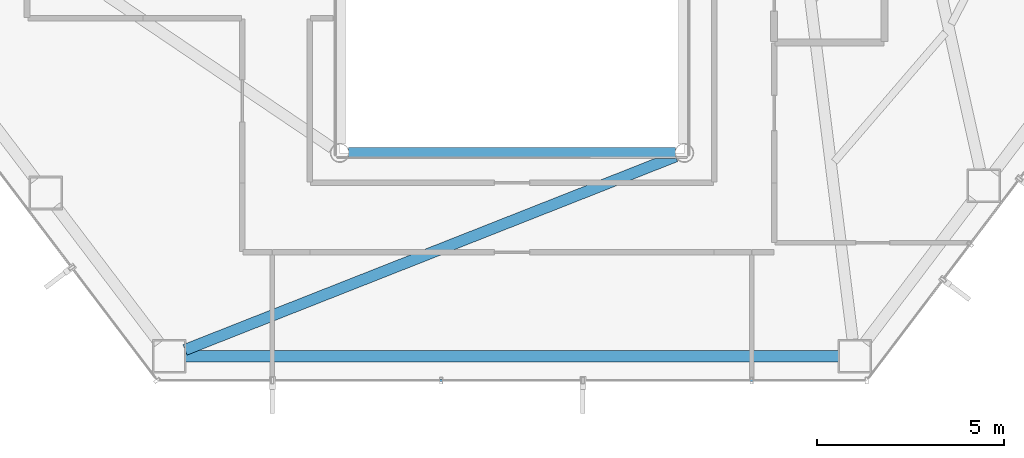
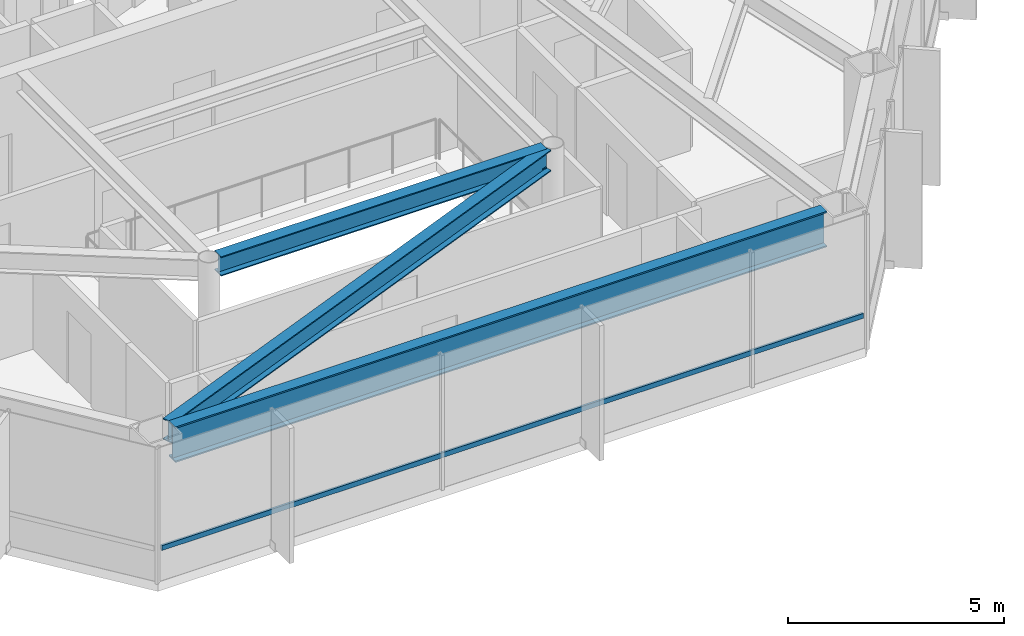
# One storey, part 7 of 24: 3 beams, 1 member, 1 element without a shape of its own.
"""IFC4 building model written with IfcOpenShell, lengths in metres."""

from ifc_helpers import new_model, si_unit, direction, frame, origin, origin_2d, place, context, subcontext, project, spatial, hollow_rectangle, i_section, extrude, material, layer, layer_set, material_profile, profile_set, type_object, element, aggregate, save


model = new_model("IFC4")

# Units and contexts
model_context = context("Model", 3, precision=1e-05, world=origin(), true_north=direction((0.0, 1.0)))
body_context = subcontext(model_context, "Body", "Model", "MODEL_VIEW")
ifc_project = project(units=[si_unit("LENGTHUNIT", "METRE"), si_unit("AREAUNIT", "SQUARE_METRE"), si_unit("VOLUMEUNIT", "CUBIC_METRE"), si_unit("PLANEANGLEUNIT", "RADIAN"), si_unit("MASSUNIT", "GRAM", prefix="KILO")], contexts=[model_context])

# Site, building, storey
site_placement = place(None, origin())
site = spatial("IfcSite", under=ifc_project, at=site_placement, CompositionType="ELEMENT")
building_placement = place(site_placement, origin())
building = spatial("IfcBuilding", under=site, at=building_placement, Name="Zarrinselat Tower", CompositionType="ELEMENT")
storey_placement = place(building_placement, frame((0.0, 0.0, 96.89990234375)))
storey = spatial("IfcBuildingStorey", under=building, at=storey_placement, Name="L23", CompositionType="ELEMENT", Elevation=96.89990234375)

# Beams
ifc_material_1 = material(Name="Steel S355J2", Category="steel")
ifc_material_profile_1 = material_profile(ifc_material_1, i_section(OverallWidth=0.300048828125, OverallDepth=0.550048828125, WebThickness=0.014892578125, FlangeThickness=0.029052734375, at=origin_2d()), Name="HEB 550")
ifc_profile_set_1 = profile_set([ifc_material_profile_1], Name="Steel S355J2")
beam_type_1 = type_object("IfcBeamType", Name="BM-HEB550", PredefinedType="BEAM", material=ifc_profile_set_1)
beam_1_placement = place(storey_placement, frame((34.0400390625, 24.39990234375, 3.545166015625), z_axis=(1.0, 0.0, 0.0), x_axis=(0.0, 1.0, 0.0)))
element("IfcBeam", 1, at=beam_1_placement, inside=storey, type_object=beam_type_1, Name="L23 Atrium Edge Beam S", PredefinedType="BEAM", context=body_context, shape_type="SweptSolid", body=[
    extrude(i_section(OverallWidth=0.300048828125, OverallDepth=0.550048828125, WebThickness=0.014892578125, FlangeThickness=0.029052734375, at=origin_2d()), origin(), (0.0, 0.0, 1.0), 8.719970703125),
])
ifc_material_2 = material(Name="Steel S355J2", Category="steel")
ifc_material_profile_2 = material_profile(ifc_material_2, i_section(OverallWidth=0.300048828125, OverallDepth=0.60009765625, WebThickness=0.015380859375, FlangeThickness=0.030029296875, at=origin_2d()), Name="HEB 600")
ifc_profile_set_2 = profile_set([ifc_material_profile_2], Name="Steel S355J2")
beam_type_2 = type_object("IfcBeamType", Name="BM-HEB600", PredefinedType="BEAM", material=ifc_profile_set_2)
beam_2_placement = place(storey_placement, frame((29.669677734375, 19.1416015625, 3.52001953125), z_axis=(0.930237169261, 0.366958865439, 0.0), x_axis=(-0.366958865439, 0.930237169261, 0.0)))
element("IfcBeam", 2, at=beam_2_placement, inside=storey, type_object=beam_type_2, Name="L23 Radial Primary Girder RG10", PredefinedType="BEAM", context=body_context, shape_type="SweptSolid", body=[
    extrude(i_section(OverallWidth=0.300048828125, OverallDepth=0.60009765625, WebThickness=0.015380859375, FlangeThickness=0.030029296875, at=origin_2d()), origin(), (0.0, 0.0, 1.0), 14.079833984375),
])
ifc_material_3 = material(Name="Steel S460M", Category="steel")
ifc_material_profile_3 = material_profile(ifc_material_3, i_section(OverallWidth=0.302001953125, OverallDepth=1.008056640625, WebThickness=0.02099609375, FlangeThickness=0.0400390625, at=origin_2d()), Name="HEM 1000")
ifc_profile_set_3 = profile_set([ifc_material_profile_3], Name="Steel S460M")
beam_type_3 = type_object("IfcBeamType", Name="BM-HEM1000", PredefinedType="BEAM", material=ifc_profile_set_3)
beam_3_placement = place(storey_placement, frame((29.68701171875, 18.9755859375, 3.316162109375), z_axis=(1.0, 0.0, 0.0), x_axis=(0.0, 1.0, 0.0)))
element("IfcBeam", 3, at=beam_3_placement, inside=storey, type_object=beam_type_3, Name="L23 Perimeter Spandrel Girder SP10", PredefinedType="BEAM", context=body_context, shape_type="SweptSolid", body=[
    extrude(i_section(OverallWidth=0.302001953125, OverallDepth=1.008056640625, WebThickness=0.02099609375, FlangeThickness=0.0400390625, at=origin_2d()), origin(), (0.0, 0.0, 1.0), 17.42578125),
])

# Curtain wall, member
ifc_material_4 = material(Name="Extruded Aluminium Alloy EN AW-6063 T6", Category="aluminium")
ifc_layer = layer(ifc_material_4, 0.18505859375)
ifc_layer_set = layer_set([ifc_layer], Name="Extruded Aluminium Alloy EN AW-6063 T6")
curtain_wall_type = type_object("IfcCurtainWallType", Name="CWS-OFF", PredefinedType="NOTDEFINED", material=ifc_layer_set)
curtain_wall_placement = place(storey_placement, origin())
curtain_wall = element("IfcCurtainWall", 4, at=curtain_wall_placement, inside=storey, type_object=curtain_wall_type, Name="L23 Unitised Curtain Wall CW-L23-E04", PredefinedType="NOTDEFINED")
ifc_material_5 = material(Name="Extruded Aluminium Alloy EN AW-6063 T6", Category="aluminium")
ifc_material_profile_4 = material_profile(ifc_material_5, hollow_rectangle(XDim=0.06005859375, YDim=0.139892578125, WallThickness=0.00390625, at=origin_2d()), Name="RHS 140x60x4")
ifc_profile_set_4 = profile_set([ifc_material_profile_4], Name="Extruded Aluminium Alloy EN AW-6063 T6")
member_type = type_object("IfcMemberType", Name="MEM-CW-TRN", PredefinedType="USERDEFINED", material=ifc_profile_set_4)
member_placement = place(storey_placement, frame((29.01611328125, 18.32568359375, 0.9501953125), z_axis=(1.0, 0.0, 0.0), x_axis=(0.0, 1.0, 0.0)))
member = element("IfcMember", 5, at=member_placement, type_object=member_type, Name="CW-L23-E04 Transom 1", ObjectType="TRANSOM", PredefinedType="USERDEFINED", context=body_context, shape_type="SweptSolid", body=[
    extrude(hollow_rectangle(XDim=0.06005859375, YDim=0.139892578125, WallThickness=0.00390625, at=origin_2d()), origin(), (0.0, 0.0, 1.0), 18.767822265625),
])
aggregate(curtain_wall, [member])

save(model, "model.ifc")
